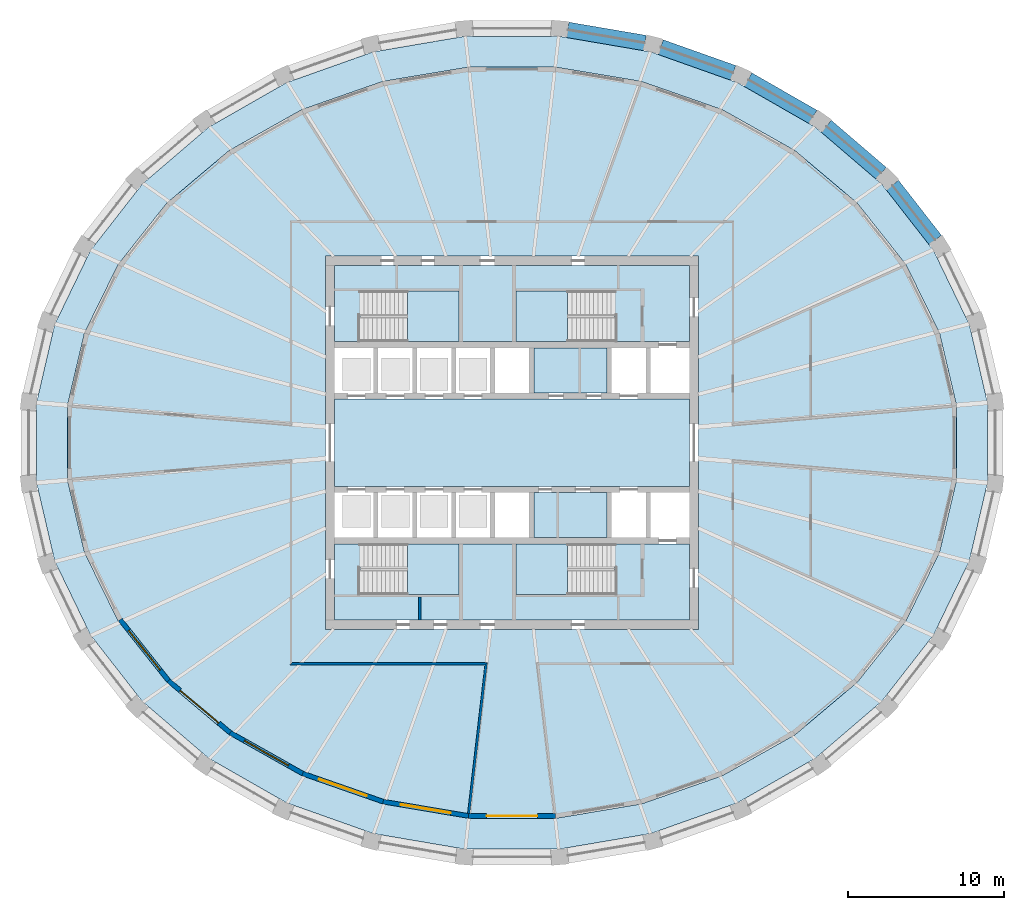
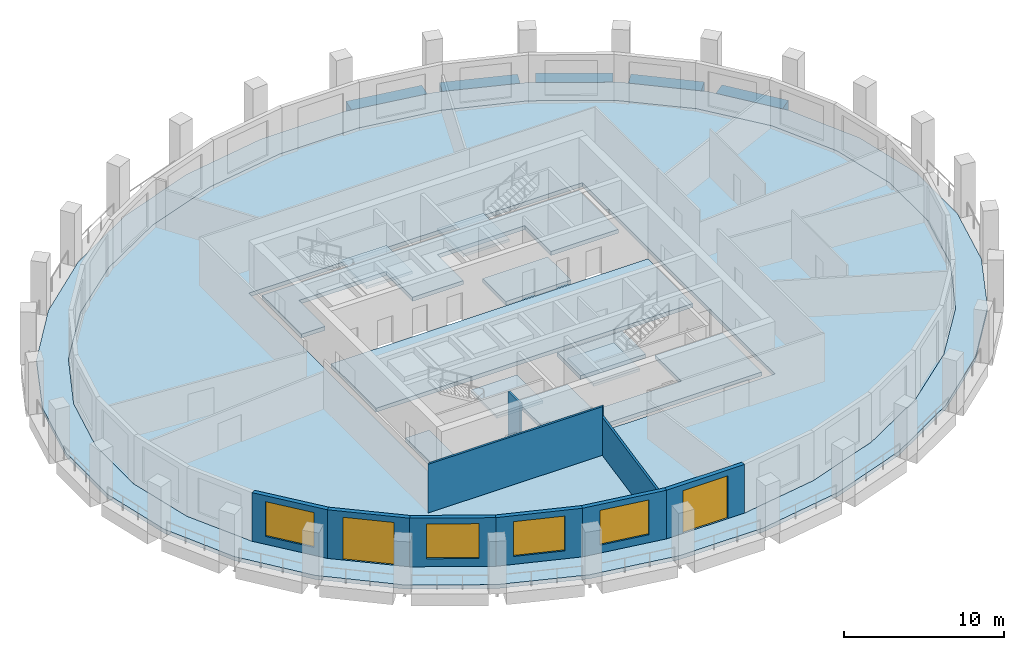
# One storey, part 2 of 10: 11 slabs, 9 walls, 5 beams, 4 windows, 2 doors, 6 openings, 4 elements without a shape of their own.
"""IFC4 building model written with IfcOpenShell, lengths in metres."""

from ifc_helpers import new_model, si_unit, direction, frame, frame_2d, origin, origin_2d, place, context, subcontext, project, spatial, polyline, rectangle, outline, extrude, material, layer, layer_set, material_profile, profile_set, type_object, element, fill, aggregate, save


model = new_model("IFC4")

# Units and contexts
model_context = context("Model", 3, precision=1e-05, world=origin(), true_north=direction((0.0, 1.0)))
body_context = subcontext(model_context, "Body", "Model", "MODEL_VIEW")
ifc_project = project(units=[si_unit("LENGTHUNIT", "METRE"), si_unit("AREAUNIT", "SQUARE_METRE"), si_unit("VOLUMEUNIT", "CUBIC_METRE"), si_unit("PLANEANGLEUNIT", "RADIAN"), si_unit("MASSUNIT", "GRAM", prefix="KILO")], contexts=[model_context])

# Site, building, storey
site_placement = place(None, origin())
site = spatial("IfcSite", under=ifc_project, at=site_placement, CompositionType="ELEMENT")
building_placement = place(site_placement, origin())
building = spatial("IfcBuilding", under=site, at=building_placement, Name="Halqa Exchange Tower", CompositionType="ELEMENT")
storey_placement = place(building_placement, frame((0.0, 0.0, 242.89990234375)))
storey = spatial("IfcBuildingStorey", under=building, at=storey_placement, Name="L56", CompositionType="ELEMENT", Elevation=242.89990234375)

# Beams
ifc_material_1 = material(Name="Concrete C60/75", Category="concrete")
ifc_material_profile = material_profile(ifc_material_1, rectangle(XDim=1.0, YDim=0.89990234375, at=origin_2d()), Name="1000 x 900")
ifc_profile_set = profile_set([ifc_material_profile], Name="Concrete C60/75")
beam_type = type_object("IfcBeamType", Name="RC spandrel beam 1000 x 900 C60/75", PredefinedType="SPANDREL", material=ifc_profile_set)
beam_1_placement = place(storey_placement, frame((27.20263671875, 13.024658203125, -0.449951171875), z_axis=(-0.614827074471, 0.788661948174, 0.0), x_axis=(-0.788661948174, -0.614827074471, 0.0)))
element("IfcBeam", 1, at=beam_1_placement, inside=storey, type_object=beam_type, Name="Spandrel 3", PredefinedType="SPANDREL", context=body_context, shape_type="SweptSolid", body=[
    extrude(rectangle(XDim=1.0, YDim=0.89990234375, at=origin_2d()), origin(), (0.0, 0.0, 1.0), 4.478759765625),
])
beam_2_placement = place(storey_placement, frame((23.72802734375, 17.312255859375, -0.449951171875), z_axis=(-0.759267722395, 0.650778399864, 0.0), x_axis=(-0.650778399864, -0.759267722395, 0.0)))
element("IfcBeam", 2, at=beam_2_placement, inside=storey, type_object=beam_type, Name="Spandrel 4", PredefinedType="SPANDREL", context=body_context, shape_type="SweptSolid", body=[
    extrude(rectangle(XDim=1.0, YDim=0.89990234375, at=origin_2d()), origin(), (0.0, 0.0, 1.0), 4.649169921875),
])
beam_3_placement = place(storey_placement, frame((19.345458984375, 20.939697265625, -0.449951171875), z_axis=(-0.8677465318, 0.497006998491, 0.0), x_axis=(-0.497006998491, -0.8677465318, 0.0)))
element("IfcBeam", 3, at=beam_3_placement, inside=storey, type_object=beam_type, Name="Spandrel 5", PredefinedType="SPANDREL", context=body_context, shape_type="SweptSolid", body=[
    extrude(rectangle(XDim=1.0, YDim=0.89990234375, at=origin_2d()), origin(), (0.0, 0.0, 1.0), 4.814453125),
])
beam_4_placement = place(storey_placement, frame((14.218994140625, 23.768310546875, -0.449951171875), z_axis=(-0.94237407927, 0.334561047822, 0.0), x_axis=(-0.334561047822, -0.94237407927, 0.0)))
element("IfcBeam", 4, at=beam_4_placement, inside=storey, type_object=beam_type, Name="Spandrel 6", PredefinedType="SPANDREL", context=body_context, shape_type="SweptSolid", body=[
    extrude(rectangle(XDim=1.0, YDim=0.89990234375, at=origin_2d()), origin(), (0.0, 0.0, 1.0), 4.94970703125),
])
beam_5_placement = place(storey_placement, frame((8.543212890625, 25.68798828125, -0.449951171875), z_axis=(-0.985775605401, 0.16806681944, 0.0), x_axis=(-0.16806681944, -0.985775605401, 0.0)))
element("IfcBeam", 5, at=beam_5_placement, inside=storey, type_object=beam_type, Name="Spandrel 7", PredefinedType="SPANDREL", context=body_context, shape_type="SweptSolid", body=[
    extrude(rectangle(XDim=1.0, YDim=0.89990234375, at=origin_2d()), origin(), (0.0, 0.0, 1.0), 5.039306640625),
])

# Slabs
ifc_layer_1 = layer(ifc_material_1, 0.300048828125)
ifc_layer_set_1 = layer_set([ifc_layer_1], Name="Concrete C60/75")
slab_type_1 = type_object("IfcSlabType", Name="Core floor slab 300", PredefinedType="FLOOR", material=ifc_layer_set_1)
slab_1_placement = place(storey_placement, frame((0.0, 0.0, -0.2998046875)))
element("IfcSlab", 6, at=slab_1_placement, inside=storey, type_object=slab_type_1, Name="Core floor slab", PredefinedType="FLOOR", context=body_context, shape_type="SweptSolid", body=[
    extrude(outline(polyline([(-11.39990234375, 2.800048828125), (11.39990234375, 2.800048828125), (11.39990234375, -2.800048828125), (-11.39990234375, -2.800048828125), (-11.39990234375, 2.800048828125)])), origin(), (0.0, 0.0, 1.0), 0.2998046875),
])
slab_2_placement = place(storey_placement, frame((0.0, 0.0, -0.2998046875)))
element("IfcSlab", 7, at=slab_2_placement, inside=storey, type_object=slab_type_1, Name="Core floor slab", PredefinedType="FLOOR", context=body_context, shape_type="SweptSolid", body=[
    extrude(outline(polyline([(-11.39990234375, 11.39990234375), (11.39990234375, 11.39990234375), (11.39990234375, 6.5), (6.550048828125, 6.5), (6.550048828125, 9.75), (0.25, 9.75), (0.25, 6.5), (-3.39990234375, 6.5), (-3.39990234375, 9.75), (-9.699951171875, 9.75), (-9.699951171875, 6.5), (-11.39990234375, 6.5), (-11.39990234375, 11.39990234375)])), origin(), (0.0, 0.0, 1.0), 0.2998046875),
])
slab_3_placement = place(storey_placement, frame((0.0, 0.0, -0.2998046875)))
element("IfcSlab", 8, at=slab_3_placement, inside=storey, type_object=slab_type_1, Name="Core floor slab", PredefinedType="FLOOR", context=body_context, shape_type="SweptSolid", body=[
    extrude(outline(polyline([(-9.699951171875, -9.75), (-3.39990234375, -9.75), (-3.39990234375, -6.5), (0.25, -6.5), (0.25, -9.75), (6.550048828125, -9.75), (6.550048828125, -6.5), (11.39990234375, -6.5), (11.39990234375, -11.39990234375), (-11.39990234375, -11.39990234375), (-11.39990234375, -6.5), (-9.699951171875, -6.5), (-9.699951171875, -9.75)])), origin(), (0.0, 0.0, 1.0), 0.2998046875),
])
slab_4_placement = place(storey_placement, frame((0.0, 0.0, -0.2998046875)))
element("IfcSlab", 9, at=slab_4_placement, inside=storey, type_object=slab_type_1, Name="Core floor slab", PredefinedType="FLOOR", context=body_context, shape_type="SweptSolid", body=[
    extrude(outline(polyline([(6.10009765625, -3.199951171875), (6.10009765625, -6.10009765625), (1.39990234375, -6.10009765625), (1.39990234375, -3.199951171875), (6.10009765625, -3.199951171875)])), origin(), (0.0, 0.0, 1.0), 0.2998046875),
])
slab_5_placement = place(storey_placement, frame((0.0, 0.0, -0.2998046875)))
element("IfcSlab", 10, at=slab_5_placement, inside=storey, type_object=slab_type_1, Name="Core floor slab", PredefinedType="FLOOR", context=body_context, shape_type="SweptSolid", body=[
    extrude(outline(polyline([(6.10009765625, 6.10009765625), (6.10009765625, 3.199951171875), (1.39990234375, 3.199951171875), (1.39990234375, 6.10009765625), (6.10009765625, 6.10009765625)])), origin(), (0.0, 0.0, 1.0), 0.2998046875),
])
ifc_material_2 = material(Name="Concrete C40/50", Category="concrete")
ifc_layer_2 = layer(ifc_material_2, 0.300048828125)
ifc_layer_set_2 = layer_set([ifc_layer_2], Name="Concrete C40/50")
slab_type_2 = type_object("IfcSlabType", Name="RC floor slab 300", PredefinedType="FLOOR", material=ifc_layer_set_2)
slab_6_placement = place(storey_placement, frame((0.0, 0.0, -0.2998046875)))
element("IfcSlab", 11, at=slab_6_placement, inside=storey, type_object=slab_type_2, Name="Floor slab", PredefinedType="FLOOR", context=body_context, shape_type="SweptSolid", body=[
    extrude(outline(polyline([(28.57373046875, 2.382568359375), (27.471435546875, 7.0546875), (25.310791015625, 11.451904296875), (22.177978515625, 15.40478515625), (18.1953125, 18.7626953125), (13.5166015625, 21.398193359375), (8.322021484375, 23.212158203125), (2.809814453125, 24.13671875), (-2.809814453125, 24.13671875), (-8.322021484375, 23.212158203125), (-13.5166015625, 21.398193359375), (-18.1953125, 18.7626953125), (-22.177978515625, 15.40478515625), (-25.310791015625, 11.451904296875), (-27.471435546875, 7.0546875), (-28.57373046875, 2.382568359375), (-28.57373046875, -2.382568359375), (-27.471435546875, -7.0546875), (-25.310791015625, -11.451904296875), (-22.177978515625, -15.40478515625), (-18.1953125, -18.7626953125), (-13.5166015625, -21.398193359375), (-8.322021484375, -23.212158203125), (-2.809814453125, -24.13671875), (2.809814453125, -24.13671875), (8.322021484375, -23.212158203125), (13.5166015625, -21.398193359375), (18.1953125, -18.7626953125), (22.177978515625, -15.40478515625), (25.310791015625, -11.451904296875), (27.471435546875, -7.0546875), (28.57373046875, -2.382568359375), (28.57373046875, 2.382568359375)]), holes=[polyline([(-12.0, -12.0), (12.0, -12.0), (12.0, 12.0), (-12.0, 12.0), (-12.0, -12.0)])]), origin(), (0.0, 0.0, 1.0), 0.2998046875),
])
ifc_layer_3 = layer(ifc_material_2, 0.300048828125)
ifc_layer_set_3 = layer_set([ifc_layer_3], Name="Concrete C40/50")
slab_type_3 = type_object("IfcSlabType", Name="RC loggia slab 300", PredefinedType="FLOOR", material=ifc_layer_set_3)
slab_7_placement = place(storey_placement, frame((0.0, 0.0, -0.2998046875)))
element("IfcSlab", 12, at=slab_7_placement, inside=storey, type_object=slab_type_3, Name="Loggia slab", PredefinedType="FLOOR", context=body_context, shape_type="SweptSolid", body=[
    extrude(outline(polyline([(30.560302734375, 2.564697265625), (30.560302734375, -2.564697265625), (29.39208984375, -7.598388671875), (27.09814453125, -12.34521484375), (23.762451171875, -16.624267578125), (19.51025390625, -20.26904296875), (14.5029296875, -23.136962890625), (8.933349609375, -25.114501953125), (3.016845703125, -26.123046875), (-3.016845703125, -26.123046875), (-8.933349609375, -25.114501953125), (-14.5029296875, -23.136962890625), (-19.51025390625, -20.26904296875), (-23.762451171875, -16.624267578125), (-27.09814453125, -12.34521484375), (-29.39208984375, -7.598388671875), (-30.560302734375, -2.564697265625), (-30.560302734375, 2.564697265625), (-29.39208984375, 7.598388671875), (-27.09814453125, 12.34521484375), (-23.762451171875, 16.624267578125), (-19.51025390625, 20.26904296875), (-14.5029296875, 23.136962890625), (-8.933349609375, 25.114501953125), (-3.016845703125, 26.123046875), (3.016845703125, 26.123046875), (8.933349609375, 25.114501953125), (14.5029296875, 23.136962890625), (19.51025390625, 20.26904296875), (23.762451171875, 16.624267578125), (27.09814453125, 12.34521484375), (29.39208984375, 7.598388671875), (30.560302734375, 2.564697265625)]), holes=[polyline([(28.57373046875, 2.382568359375), (27.471435546875, 7.0546875), (25.310791015625, 11.451904296875), (22.177978515625, 15.40478515625), (18.1953125, 18.7626953125), (13.5166015625, 21.398193359375), (8.322021484375, 23.212158203125), (2.809814453125, 24.13671875), (-2.809814453125, 24.13671875), (-8.322021484375, 23.212158203125), (-13.5166015625, 21.398193359375), (-18.1953125, 18.7626953125), (-22.177978515625, 15.40478515625), (-25.310791015625, 11.451904296875), (-27.471435546875, 7.0546875), (-28.57373046875, 2.382568359375), (-28.57373046875, -2.382568359375), (-27.471435546875, -7.0546875), (-25.310791015625, -11.451904296875), (-22.177978515625, -15.40478515625), (-18.1953125, -18.7626953125), (-13.5166015625, -21.398193359375), (-8.322021484375, -23.212158203125), (-2.809814453125, -24.13671875), (2.809814453125, -24.13671875), (8.322021484375, -23.212158203125), (13.5166015625, -21.398193359375), (18.1953125, -18.7626953125), (22.177978515625, -15.40478515625), (25.310791015625, -11.451904296875), (27.471435546875, -7.0546875), (28.57373046875, -2.382568359375), (28.57373046875, 2.382568359375)])]), origin(), (0.0, 0.0, 1.0), 0.2998046875),
])

# Stair, slab
ifc_material_3 = material(Name="Concrete C30/37", Category="concrete")
stair_type = type_object("IfcStairType", Name="Exit stair 1500 wide", PredefinedType="HALF_TURN_STAIR", material=ifc_material_3)
stair_1_placement = place(storey_placement, origin())
stair_1 = element("IfcStair", 13, at=stair_1_placement, inside=storey, type_object=stair_type, Name="Exit stair ST1", PredefinedType="HALF_TURN_STAIR")
ifc_layer_4 = layer(ifc_material_3, 0.199951171875)
ifc_layer_set_4 = layer_set([ifc_layer_4], Name="Concrete C30/37")
slab_type_4 = type_object("IfcSlabType", Name="Stair landing 200 slab", PredefinedType="LANDING", material=ifc_layer_set_4)
slab_8_placement = place(storey_placement, frame((0.0, 0.0, 1.800048828125)))
slab_8 = element("IfcSlab", 14, at=slab_8_placement, type_object=slab_type_4, Name="ST1 landing 1", PredefinedType="LANDING", context=body_context, shape_type="SweptSolid", body=[
    extrude(outline(polyline([(-6.719970703125, 6.5), (-3.39990234375, 6.5), (-3.39990234375, 9.75), (-6.719970703125, 9.75), (-6.719970703125, 6.5)])), origin(), (0.0, 0.0, 1.0), 0.199951171875),
])
aggregate(stair_1, [slab_8])

stair_2_placement = place(storey_placement, origin())
stair_2 = element("IfcStair", 15, at=stair_2_placement, inside=storey, type_object=stair_type, Name="Exit stair ST2", PredefinedType="HALF_TURN_STAIR")
slab_9_placement = place(storey_placement, frame((0.0, 0.0, 1.800048828125)))
slab_9 = element("IfcSlab", 16, at=slab_9_placement, type_object=slab_type_4, Name="ST2 landing 1", PredefinedType="LANDING", context=body_context, shape_type="SweptSolid", body=[
    extrude(outline(polyline([(0.25, 6.5), (3.570068359375, 6.5), (3.570068359375, 9.75), (0.25, 9.75), (0.25, 6.5)])), origin(), (0.0, 0.0, 1.0), 0.199951171875),
])
aggregate(stair_2, [slab_9])

stair_3_placement = place(storey_placement, origin())
stair_3 = element("IfcStair", 17, at=stair_3_placement, inside=storey, type_object=stair_type, Name="Exit stair ST3", PredefinedType="HALF_TURN_STAIR")
slab_10_placement = place(storey_placement, frame((0.0, 0.0, 1.800048828125)))
slab_10 = element("IfcSlab", 18, at=slab_10_placement, type_object=slab_type_4, Name="ST3 landing 1", PredefinedType="LANDING", context=body_context, shape_type="SweptSolid", body=[
    extrude(outline(polyline([(-6.719970703125, -9.75), (-3.39990234375, -9.75), (-3.39990234375, -6.5), (-6.719970703125, -6.5), (-6.719970703125, -9.75)])), origin(), (0.0, 0.0, 1.0), 0.199951171875),
])
aggregate(stair_3, [slab_10])

stair_4_placement = place(storey_placement, origin())
stair_4 = element("IfcStair", 19, at=stair_4_placement, inside=storey, type_object=stair_type, Name="Exit stair ST4", PredefinedType="HALF_TURN_STAIR")
slab_11_placement = place(storey_placement, frame((0.0, 0.0, 1.800048828125)))
slab_11 = element("IfcSlab", 20, at=slab_11_placement, type_object=slab_type_4, Name="ST4 landing 1", PredefinedType="LANDING", context=body_context, shape_type="SweptSolid", body=[
    extrude(outline(polyline([(0.25, -9.75), (3.570068359375, -9.75), (3.570068359375, -6.5), (0.25, -6.5), (0.25, -9.75)])), origin(), (0.0, 0.0, 1.0), 0.199951171875),
])
aggregate(stair_4, [slab_11])

# Walls
ifc_material_4 = material(Name="Fire-rated gypsum board")
ifc_layer_5 = layer(ifc_material_4, 0.14990234375)
ifc_layer_set_5 = layer_set([ifc_layer_5], Name="Fire-rated gypsum board")
wall_type_1 = type_object("IfcWallType", Name="Fire partition EI 60 150", PredefinedType="PARTITIONING", material=ifc_layer_set_5)
wall_1_placement = place(storey_placement, frame((-2.7841796875, -23.83251953125, 0.0), z_axis=(0.0, 0.0, 1.0), x_axis=(0.115927481877, 0.993257680034, 0.0)))
element("IfcWall", 21, at=wall_1_placement, inside=storey, type_object=wall_type_1, Name="L56-PWL-007", PredefinedType="PARTITIONING", context=body_context, shape_type="SweptSolid", body=[
    extrude(outline(polyline([(0.004638671875, -0.074951171875), (1.960205078125, -0.074951171875), (3.91552734375, -0.074951171875), (5.87109375, -0.074951171875), (7.82666015625, -0.074951171875), (9.7822265625, -0.074951171875), (9.697998046875, 0.0), (9.61376953125, 0.074951171875), (7.69091796875, 0.074951171875), (5.768310546875, 0.074951171875), (3.845458984375, 0.074951171875), (1.9228515625, 0.074951171875), (0.0, 0.074951171875), (0.0, -0.03515625), (0.004638671875, -0.074951171875)])), origin(), (0.0, 0.0, 1.0), 2.897216796875),
])
wall_2_placement = place(storey_placement, frame((-1.57568359375, -14.199951171875, 0.0), z_axis=(0.0, 0.0, 1.0), x_axis=(-1.0, 0.0, 0.0)))
element("IfcWall", 22, at=wall_2_placement, inside=storey, type_object=wall_type_1, Name="L56-PWL-008", PredefinedType="PARTITIONING", context=body_context, shape_type="SweptSolid", body=[
    extrude(outline(polyline([(0.0, -0.074951171875), (1.792724609375, -0.074951171875), (3.58544921875, -0.074951171875), (5.37841796875, -0.074951171875), (7.171142578125, -0.074951171875), (8.9638671875, -0.074951171875), (10.756591796875, -0.074951171875), (12.54931640625, -0.074951171875), (12.69921875, 0.074951171875), (10.9091796875, 0.074951171875), (9.118896484375, 0.074951171875), (7.328857421875, 0.074951171875), (5.538818359375, 0.074951171875), (3.748779296875, 0.074951171875), (1.95849609375, 0.074951171875), (0.16845703125, 0.074951171875), (0.0, -0.074951171875)])), origin(), (0.0, 0.0, 1.0), 3.7001953125),
])
ifc_material_5 = material(Name="Gypsum board")
ifc_layer_6 = layer(ifc_material_5, 0.14990234375)
ifc_layer_set_6 = layer_set([ifc_layer_6], Name="Gypsum board")
wall_type_2 = type_object("IfcWallType", Name="Penthouse riser wall 150 gypsum", PredefinedType="PARTITIONING", material=ifc_layer_set_6)
wall_3_placement = place(storey_placement, frame((-5.925048828125, -11.39990234375, 0.0), z_axis=(0.0, 0.0, 1.0), x_axis=(0.0, 1.0, 0.0)))
element("IfcWall", 23, at=wall_3_placement, inside=storey, type_object=wall_type_2, Name="Partition W5.925 S", PredefinedType="PARTITIONING", context=body_context, shape_type="SweptSolid", body=[
    extrude(rectangle(XDim=1.5, YDim=0.14990234375, at=frame_2d((0.75, 0.0))), origin(), (0.0, 0.0, 1.0), 3.7001953125),
])

# Wall, opening, window
ifc_material_6 = material(Name="Limestone cladding", Category="masonry")
ifc_layer_7 = layer(ifc_material_6, 0.0400390625)
ifc_material_7 = material(Name="Ventilated cavity")
ifc_layer_8 = layer(ifc_material_7, 0.030029296875, ventilated=True)
ifc_material_8 = material(Name="Mineral wool insulation")
ifc_layer_9 = layer(ifc_material_8, 0.10009765625)
ifc_layer_10 = layer(ifc_material_3, 0.10009765625)
ifc_material_9 = material(Name="Internal plaster")
ifc_layer_11 = layer(ifc_material_9, 0.030029296875)
ifc_layer_set_7 = layer_set([ifc_layer_7, ifc_layer_8, ifc_layer_9, ifc_layer_10, ifc_layer_11], Name="Stone-faced insulated wall 300")
wall_type_3 = type_object("IfcWallType", Name="Stone-faced insulated wall 300", PredefinedType="STANDARD", material=ifc_layer_set_7)
wall_4_placement = place(storey_placement, frame((-25.183349609375, -11.371337890625, 0.0), z_axis=(0.0, 0.0, 1.0), x_axis=(0.621130746167, -0.783706958094, 0.0)))
wall_4 = element("IfcWall", 24, at=wall_4_placement, inside=storey, type_object=wall_type_3, Name="Glass-line wall 19", PredefinedType="STANDARD", context=body_context, shape_type="SweptSolid", body=[
    extrude(outline(polyline([(-0.01611328125, -0.14990234375), (5.02783203125, -0.14990234375), (4.99755859375, 0.14990234375), (0.01611328125, 0.14990234375), (-0.01611328125, -0.14990234375)])), origin(), (0.0, 0.0, 1.0), 3.7001953125),
])
opening_1_placement = place(wall_4_placement, frame((0.88134765625, 0.0, 0.60009765625)))
opening_1 = element("IfcOpeningElement", 25, at=opening_1_placement, cuts=wall_4, Name="Opening W-F3-19", PredefinedType="OPENING", context=body_context, shape_type="SweptSolid", body=[
    extrude(rectangle(XDim=3.25, YDim=2.64990234375, at=frame_2d((1.625, 1.324951171875))), frame((0.0, 0.162109375, 0.0), z_axis=(0.0, -1.0, 0.0), x_axis=(1.0, 0.0, 0.0)), (0.0, 0.0, 1.0), 0.323974609375),
])
ifc_material_10 = material(Name="Clear low-emissivity glass in aluminium frame", Category="aluminium")
window_type = type_object("IfcWindowType", Name="Fixed clear glazed window 3250 x 2650", PartitioningType="TRIPLE_PANEL_VERTICAL", PredefinedType="WINDOW", material=ifc_material_10)
window_1_placement = place(opening_1_placement, origin())
window_1 = element("IfcWindow", 26, at=window_1_placement, inside=storey, type_object=window_type, Name="Window 3", OverallHeight=2.64990234375, OverallWidth=3.25, PartitioningType="TRIPLE_PANEL_VERTICAL", PredefinedType="WINDOW", context=body_context, shape_type="SweptSolid", body=[
    extrude(rectangle(XDim=3.25, YDim=2.64990234375, at=frame_2d((1.625, 1.324951171875))), frame((0.0, 0.030029296875, 0.0), z_axis=(0.0, -1.0, 0.0), x_axis=(1.0, 0.0, 0.0)), (0.0, 0.0, 1.0), 0.06005859375),
])
fill(opening_1, window_1)

# Wall, opening, door
wall_5_placement = place(storey_placement, frame((-22.06982421875, -15.2998046875, 0.0), z_axis=(0.0, 0.0, 1.0), x_axis=(0.764530975429, -0.644586989948, 0.0)))
wall_5 = element("IfcWall", 27, at=wall_5_placement, inside=storey, type_object=wall_type_3, Name="Glass-line wall 20", PredefinedType="STANDARD", context=body_context, shape_type="SweptSolid", body=[
    extrude(outline(polyline([(-0.01513671875, -0.14990234375), (5.1943359375, -0.14990234375), (5.166015625, 0.14990234375), (0.01513671875, 0.14990234375), (-0.01513671875, -0.14990234375)])), origin(), (0.0, 0.0, 1.0), 3.7001953125),
])
opening_2_placement = place(wall_5_placement, frame((0.965087890625, 0.0, 0.0)))
opening_2 = element("IfcOpeningElement", 28, at=opening_2_placement, cuts=wall_5, Name="Opening LG-F3-05", PredefinedType="OPENING", context=body_context, shape_type="SweptSolid", body=[
    extrude(rectangle(XDim=3.25, YDim=3.25, at=frame_2d((1.625, 1.625))), frame((0.0, 0.162109375, 0.0), z_axis=(0.0, -1.0, 0.0), x_axis=(1.0, 0.0, 0.0)), (0.0, 0.0, 1.0), 0.323974609375),
])
door_type = type_object("IfcDoorType", Name="Glazed sliding loggia door 3250 x 3250", OperationType="DOUBLE_DOOR_SLIDING", PredefinedType="DOOR", material=ifc_material_10)
door_1_placement = place(opening_2_placement, origin())
door_1 = element("IfcDoor", 29, at=door_1_placement, inside=storey, type_object=door_type, Name="Loggia door 5", OperationType="DOUBLE_DOOR_SLIDING", OverallHeight=3.25, OverallWidth=3.25, PredefinedType="DOOR", context=body_context, shape_type="SweptSolid", body=[
    extrude(rectangle(XDim=3.25, YDim=3.25, at=frame_2d((1.625, 1.625))), frame((0.0, 0.02490234375, 0.0), z_axis=(0.0, -1.0, 0.0), x_axis=(1.0, 0.0, 0.0)), (0.0, 0.0, 1.0), 0.050048828125),
])
fill(opening_2, door_1)

# Wall, opening, window
wall_6_placement = place(storey_placement, frame((-18.109375, -18.638916015625, 0.0), z_axis=(0.0, 0.0, 1.0), x_axis=(0.871275151053, -0.490794876865, 0.0)))
wall_6 = element("IfcWall", 30, at=wall_6_placement, inside=storey, type_object=wall_type_3, Name="Glass-line wall 21", PredefinedType="STANDARD", context=body_context, shape_type="SweptSolid", body=[
    extrude(outline(polyline([(-0.01416015625, -0.14990234375), (5.35595703125, -0.14990234375), (5.3291015625, 0.14990234375), (0.01416015625, 0.14990234375), (-0.01416015625, -0.14990234375)])), origin(), (0.0, 0.0, 1.0), 3.7001953125),
])
opening_3_placement = place(wall_6_placement, frame((1.046142578125, 0.0, 0.60009765625)))
opening_3 = element("IfcOpeningElement", 31, at=opening_3_placement, cuts=wall_6, Name="Opening W-F3-21", PredefinedType="OPENING", context=body_context, shape_type="SweptSolid", body=[
    extrude(rectangle(XDim=3.25, YDim=2.64990234375, at=frame_2d((1.625, 1.324951171875))), frame((0.0, 0.162109375, 0.0), z_axis=(0.0, -1.0, 0.0), x_axis=(1.0, 0.0, 0.0)), (0.0, 0.0, 1.0), 0.323974609375),
])
window_2_placement = place(opening_3_placement, origin())
window_2 = element("IfcWindow", 32, at=window_2_placement, inside=storey, type_object=window_type, Name="Window 3", OverallHeight=2.64990234375, OverallWidth=3.25, PartitioningType="TRIPLE_PANEL_VERTICAL", PredefinedType="WINDOW", context=body_context, shape_type="SweptSolid", body=[
    extrude(rectangle(XDim=3.25, YDim=2.64990234375, at=frame_2d((1.625, 1.324951171875))), frame((0.0, 0.030029296875, 0.0), z_axis=(0.0, -1.0, 0.0), x_axis=(1.0, 0.0, 0.0)), (0.0, 0.0, 1.0), 0.06005859375),
])
fill(opening_3, window_2)

wall_7_placement = place(storey_placement, frame((-13.45458984375, -21.260986328125, 0.0), z_axis=(0.0, 0.0, 1.0), x_axis=(0.944093730832, -0.329677156326, 0.0)))
wall_7 = element("IfcWall", 33, at=wall_7_placement, inside=storey, type_object=wall_type_3, Name="Glass-line wall 22", PredefinedType="STANDARD", context=body_context, shape_type="SweptSolid", body=[
    extrude(outline(polyline([(-0.013427734375, -0.14990234375), (5.489013671875, -0.14990234375), (5.463623046875, 0.14990234375), (0.013427734375, 0.14990234375), (-0.013427734375, -0.14990234375)])), origin(), (0.0, 0.0, 1.0), 3.7001953125),
])
opening_4_placement = place(wall_7_placement, frame((1.113037109375, 0.0, 0.60009765625)))
opening_4 = element("IfcOpeningElement", 34, at=opening_4_placement, cuts=wall_7, Name="Opening W-F3-22", PredefinedType="OPENING", context=body_context, shape_type="SweptSolid", body=[
    extrude(rectangle(XDim=3.25, YDim=2.64990234375, at=frame_2d((1.625, 1.324951171875))), frame((0.0, 0.162109375, 0.0), z_axis=(0.0, -1.0, 0.0), x_axis=(1.0, 0.0, 0.0)), (0.0, 0.0, 1.0), 0.323974609375),
])
window_3_placement = place(opening_4_placement, origin())
window_3 = element("IfcWindow", 35, at=window_3_placement, inside=storey, type_object=window_type, Name="Window 3", OverallHeight=2.64990234375, OverallWidth=3.25, PartitioningType="TRIPLE_PANEL_VERTICAL", PredefinedType="WINDOW", context=body_context, shape_type="SweptSolid", body=[
    extrude(rectangle(XDim=3.25, YDim=2.64990234375, at=frame_2d((1.625, 1.324951171875))), frame((0.0, 0.030029296875, 0.0), z_axis=(0.0, -1.0, 0.0), x_axis=(1.0, 0.0, 0.0)), (0.0, 0.0, 1.0), 0.06005859375),
])
fill(opening_4, window_3)

wall_8_placement = place(storey_placement, frame((-8.284423828125, -23.06640625, 0.0), z_axis=(0.0, 0.0, 1.0), x_axis=(0.98622977737, -0.16538085206, 0.0)))
wall_8 = element("IfcWall", 36, at=wall_8_placement, inside=storey, type_object=wall_type_3, Name="Glass-line wall 23", PredefinedType="STANDARD", context=body_context, shape_type="SweptSolid", body=[
    extrude(outline(polyline([(-0.0126953125, -0.14990234375), (5.576416015625, -0.14990234375), (5.551513671875, 0.14990234375), (0.0126953125, 0.14990234375), (-0.0126953125, -0.14990234375)])), origin(), (0.0, 0.0, 1.0), 3.7001953125),
])
opening_5_placement = place(wall_8_placement, frame((1.156982421875, 0.0, 0.60009765625)))
opening_5 = element("IfcOpeningElement", 37, at=opening_5_placement, cuts=wall_8, Name="Opening W-F3-23", PredefinedType="OPENING", context=body_context, shape_type="SweptSolid", body=[
    extrude(rectangle(XDim=3.25, YDim=2.64990234375, at=frame_2d((1.625, 1.324951171875))), frame((0.0, 0.162109375, 0.0), z_axis=(0.0, -1.0, 0.0), x_axis=(1.0, 0.0, 0.0)), (0.0, 0.0, 1.0), 0.323974609375),
])
window_4_placement = place(opening_5_placement, origin())
window_4 = element("IfcWindow", 38, at=window_4_placement, inside=storey, type_object=window_type, Name="Window 3", OverallHeight=2.64990234375, OverallWidth=3.25, PartitioningType="TRIPLE_PANEL_VERTICAL", PredefinedType="WINDOW", context=body_context, shape_type="SweptSolid", body=[
    extrude(rectangle(XDim=3.25, YDim=2.64990234375, at=frame_2d((1.625, 1.324951171875))), frame((0.0, 0.030029296875, 0.0), z_axis=(0.0, -1.0, 0.0), x_axis=(1.0, 0.0, 0.0)), (0.0, 0.0, 1.0), 0.06005859375),
])
fill(opening_5, window_4)

# Wall, opening, door
wall_9_placement = place(storey_placement, frame((-2.797119140625, -23.986572265625, 0.0), z_axis=(0.0, 0.0, 1.0), x_axis=(1.0, 0.0, 0.0)))
wall_9 = element("IfcWall", 39, at=wall_9_placement, inside=storey, type_object=wall_type_3, Name="Glass-line wall 24", PredefinedType="STANDARD", context=body_context, shape_type="SweptSolid", body=[
    extrude(outline(polyline([(-0.012451171875, -0.14990234375), (5.606689453125, -0.14990234375), (5.581787109375, 0.14990234375), (0.012451171875, 0.14990234375), (-0.012451171875, -0.14990234375)])), origin(), (0.0, 0.0, 1.0), 3.7001953125),
])
opening_6_placement = place(wall_9_placement, frame((1.172119140625, 0.0, 0.0)))
opening_6 = element("IfcOpeningElement", 40, at=opening_6_placement, cuts=wall_9, Name="Opening LG-F3-06", PredefinedType="OPENING", context=body_context, shape_type="SweptSolid", body=[
    extrude(rectangle(XDim=3.25, YDim=3.25, at=frame_2d((1.625, 1.625))), frame((0.0, 0.162109375, 0.0), z_axis=(0.0, -1.0, 0.0), x_axis=(1.0, 0.0, 0.0)), (0.0, 0.0, 1.0), 0.323974609375),
])
door_2_placement = place(opening_6_placement, origin())
door_2 = element("IfcDoor", 41, at=door_2_placement, inside=storey, type_object=door_type, Name="Loggia door 6", OperationType="DOUBLE_DOOR_SLIDING", OverallHeight=3.25, OverallWidth=3.25, PredefinedType="DOOR", context=body_context, shape_type="SweptSolid", body=[
    extrude(rectangle(XDim=3.25, YDim=3.25, at=frame_2d((1.625, 1.625))), frame((0.0, 0.02490234375, 0.0), z_axis=(0.0, -1.0, 0.0), x_axis=(1.0, 0.0, 0.0)), (0.0, 0.0, 1.0), 0.050048828125),
])
fill(opening_6, door_2)

save(model, "model.ifc")
